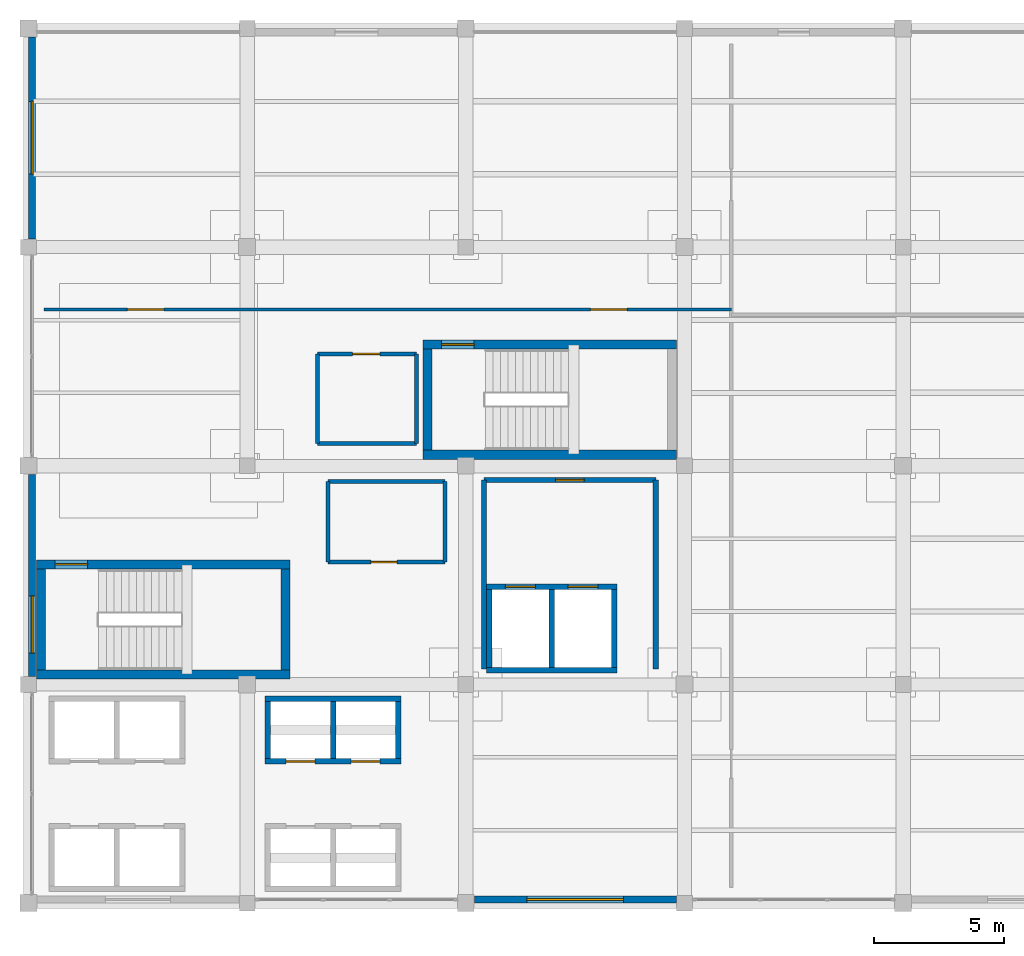
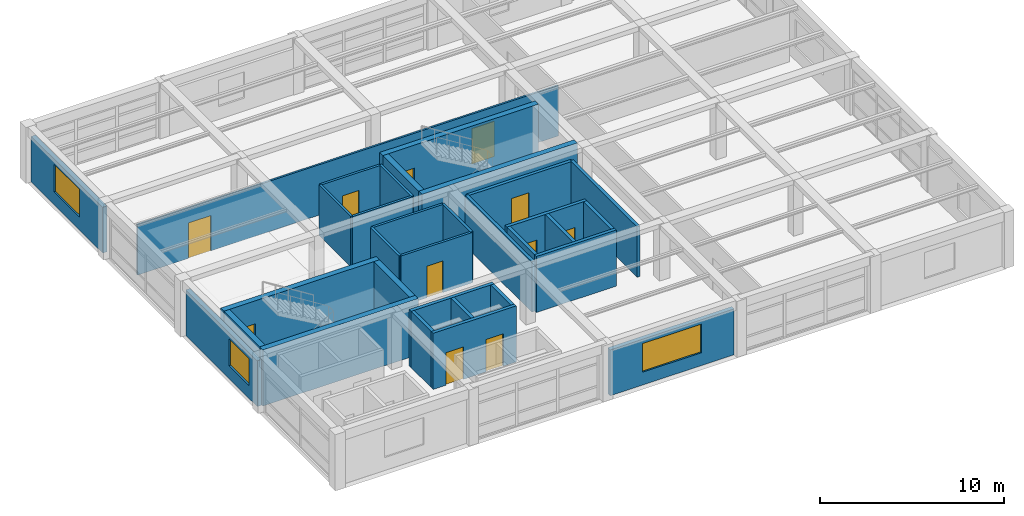
# One storey, part 24 of 26: 32 walls, 11 doors, 3 windows, 14 openings.
"""IFC4 building model written with IfcOpenShell, lengths in metres."""

from ifc_helpers import new_model, si_unit, direction, frame, frame_2d, origin, place, context, subcontext, project, spatial, rectangle, extrude, material, layer, layer_set, type_object, element, fill, save


model = new_model("IFC4")

# Units and contexts
model_context = context("Model", 3, precision=1e-05, world=origin(), true_north=direction((0.0, 1.0)))
body_context = subcontext(model_context, "Body", "Model", "MODEL_VIEW")
ifc_project = project(units=[si_unit("LENGTHUNIT", "METRE"), si_unit("AREAUNIT", "SQUARE_METRE"), si_unit("VOLUMEUNIT", "CUBIC_METRE"), si_unit("PLANEANGLEUNIT", "RADIAN"), si_unit("MASSUNIT", "GRAM", prefix="KILO")], contexts=[model_context])

# Site, building, storey
site_placement = place(None, origin())
site = spatial("IfcSite", under=ifc_project, at=site_placement, CompositionType="ELEMENT")
building_placement = place(site_placement, origin())
building = spatial("IfcBuilding", under=site, at=building_placement, Name="Almacenes y Pasaje Nevantli", CompositionType="ELEMENT")
storey_placement = place(building_placement, frame((0.0, 0.0, 46.699951171875)))
storey = spatial("IfcBuildingStorey", under=building, at=storey_placement, Name="L11", CompositionType="ELEMENT", Elevation=46.699951171875)

# Wall, opening, door
ifc_material_1 = material(Name="Fire-Rated Concrete Blockwork", Category="masonry")
ifc_layer_1 = layer(ifc_material_1, 0.199951171875)
ifc_layer_set_1 = layer_set([ifc_layer_1], Name="Fire-Rated Concrete Blockwork")
wall_type_1 = type_object("IfcWallType", Name="WL-COMP-200", PredefinedType="PARTITIONING", material=ifc_layer_set_1)
wall_1_placement = place(storey_placement, frame((135.10009765625, 83.449951171875, 0.0), z_axis=(0.0, 0.0, 1.0), x_axis=(1.0, 0.0, 0.0)))
wall_1 = element("IfcWall", 1, at=wall_1_placement, inside=storey, type_object=wall_type_1, Name="L11 Interior Partition Wall IW-200 #188", PredefinedType="PARTITIONING", context=body_context, shape_type="SweptSolid", body=[
    extrude(rectangle(XDim=6.599853515625, YDim=0.199951171875, at=frame_2d((3.2998046875, 0.0))), origin(), (0.0, 0.0, 1.0), 3.340087890625),
])
opening_1_placement = place(wall_1_placement, frame((2.75, 0.0, 0.0)))
opening_1 = element("IfcOpeningElement", 2, at=opening_1_placement, cuts=wall_1, Name="Opening ID-L11-104", PredefinedType="OPENING", context=body_context, shape_type="SweptSolid", body=[
    extrude(rectangle(XDim=1.10009765625, YDim=2.199951171875, at=frame_2d((0.550048828125, 1.10009765625))), frame((0.0, 0.10986328125, 0.0), z_axis=(0.0, -1.0, 0.0), x_axis=(1.0, 0.0, 0.0)), (0.0, 0.0, 1.0), 0.219970703125),
])
ifc_material_2 = material(Name="Galvanized Fire-Rated Steel", Category="steel")
door_type_1 = type_object("IfcDoorType", Name="DR-FD90-1100R", OperationType="SINGLE_SWING_RIGHT", PredefinedType="DOOR", material=ifc_material_2)
door_1_placement = place(opening_1_placement, origin())
door_1 = element("IfcDoor", 3, at=door_1_placement, inside=storey, type_object=door_type_1, Name="L11 Firefighting Lobby Door", OperationType="SINGLE_SWING_RIGHT", OverallHeight=2.199951171875, OverallWidth=1.10009765625, PredefinedType="DOOR", context=body_context, shape_type="SweptSolid", body=[
    extrude(rectangle(XDim=1.10009765625, YDim=2.199951171875, at=frame_2d((0.550048828125, 1.10009765625))), frame((0.0, 0.02490234375, 0.0), z_axis=(0.0, -1.0, 0.0), x_axis=(1.0, 0.0, 0.0)), (0.0, 0.0, 1.0), 0.050048828125),
])
fill(opening_1, door_1)

# Walls
for number, where, z_axis, x_axis, name in (
    (4, (135.10009765625, 76.199951171875, 0.0), (0.0, 0.0, 1.0), (0.0, 1.0, 0.0), "L11 Interior Partition Wall IW-200 #189"),
    (5, (141.699951171875, 76.199951171875, 0.0), (0.0, 0.0, 1.0), (0.0, 1.0, 0.0), "L11 Interior Partition Wall IW-200 #190"),
):
    element("IfcWall", number, at=place(storey_placement, frame(where, z_axis=z_axis, x_axis=x_axis)), inside=storey, type_object=wall_type_1, Name=name, PredefinedType="PARTITIONING", context=body_context, shape_type="SweptSolid", body=[
        extrude(rectangle(XDim=7.25, YDim=0.199951171875, at=frame_2d((3.625, 0.0))), origin(), (0.0, 0.0, 1.0), 3.340087890625),
    ])
ifc_material_3 = material(Name="Concrete C45/55", Category="concrete")
ifc_layer_2 = layer(ifc_material_3, 0.35009765625)
ifc_layer_set_2 = layer_set([ifc_layer_2], Name="Concrete C45/55")
wall_type_2 = type_object("IfcWallType", Name="WL-CORE-350", PredefinedType="SHEAR", material=ifc_layer_set_2)
wall_2_placement = place(storey_placement, frame((117.89990234375, 75.97509765625, 0.0), z_axis=(0.0, 0.0, 1.0), x_axis=(1.0, 0.0, 0.0)))
element("IfcWall", 6, at=wall_2_placement, inside=storey, type_object=wall_type_2, Name="L11 Exit Stair ST-01 South Core Shear Wall", PredefinedType="SHEAR", context=body_context, shape_type="SweptSolid", body=[
    extrude(rectangle(XDim=9.75, YDim=0.35009765625, at=frame_2d((4.875, 0.0))), origin(), (0.0, 0.0, 1.0), 3.719970703125),
])

# Wall, opening, door
wall_3_placement = place(storey_placement, frame((117.89990234375, 80.215087890625, 0.0), z_axis=(0.0, 0.0, 1.0), x_axis=(1.0, 0.0, 0.0)))
wall_3 = element("IfcWall", 7, at=wall_3_placement, inside=storey, type_object=wall_type_2, Name="L11 Exit Stair ST-01 North Core Shear Wall", PredefinedType="SHEAR", context=body_context, shape_type="SweptSolid", body=[
    extrude(rectangle(XDim=9.75, YDim=0.35009765625, at=frame_2d((4.875, 0.0))), origin(), (0.0, 0.0, 1.0), 3.719970703125),
])
opening_2_placement = place(wall_3_placement, frame((0.719970703125, 0.0, 0.0)))
opening_2 = element("IfcOpeningElement", 8, at=opening_2_placement, cuts=wall_3, Name="Opening SD-01-L11", PredefinedType="OPENING", context=body_context, shape_type="SweptSolid", body=[
    extrude(rectangle(XDim=1.25, YDim=2.199951171875, at=frame_2d((0.625, 1.10009765625))), frame((0.0, 0.18505859375, 0.0), z_axis=(0.0, -1.0, 0.0), x_axis=(1.0, 0.0, 0.0)), (0.0, 0.0, 1.0), 0.3701171875),
])
ifc_material_4 = material(Name="Galvanized Fire-Rated Steel", Category="steel")
door_type_2 = type_object("IfcDoorType", Name="DR-STAIR-1250", OperationType="SINGLE_SWING_LEFT", PredefinedType="DOOR", material=ifc_material_4)
door_2_placement = place(opening_2_placement, origin())
door_2 = element("IfcDoor", 9, at=door_2_placement, inside=storey, type_object=door_type_2, Name="L11 Smokeproof Exit Stair ST-01 Fire Door", OperationType="SINGLE_SWING_LEFT", OverallHeight=2.199951171875, OverallWidth=1.25, PredefinedType="DOOR", context=body_context, shape_type="SweptSolid", body=[
    extrude(rectangle(XDim=1.25, YDim=2.199951171875, at=frame_2d((0.625, 1.10009765625))), frame((0.0, 0.02490234375, 0.0), z_axis=(0.0, -1.0, 0.0), x_axis=(1.0, 0.0, 0.0)), (0.0, 0.0, 1.0), 0.050048828125),
])
fill(opening_2, door_2)

# Walls
for number, where, z_axis, x_axis, name in (
    (10, (118.074951171875, 76.14990234375, 0.0), (0.0, 0.0, 1.0), (0.0, 1.0, 0.0), "L11 Exit Stair ST-01 West Core Shear Wall"),
    (11, (127.47509765625, 76.14990234375, 0.0), (0.0, 0.0, 1.0), (0.0, 1.0, 0.0), "L11 Exit Stair ST-01 East Core Shear Wall"),
):
    element("IfcWall", number, at=place(storey_placement, frame(where, z_axis=z_axis, x_axis=x_axis)), inside=storey, type_object=wall_type_2, Name=name, PredefinedType="SHEAR", context=body_context, shape_type="SweptSolid", body=[
        extrude(rectangle(XDim=3.89013671875, YDim=0.35009765625, at=frame_2d((1.945068359375, 0.0))), origin(), (0.0, 0.0, 1.0), 3.719970703125),
    ])
wall_4_placement = place(storey_placement, frame((132.75, 84.425048828125, 0.0), z_axis=(0.0, 0.0, 1.0), x_axis=(1.0, 0.0, 0.0)))
element("IfcWall", 12, at=wall_4_placement, inside=storey, type_object=wall_type_2, Name="L11 Exit Stair ST-02 South Core Shear Wall", PredefinedType="SHEAR", context=body_context, shape_type="SweptSolid", body=[
    extrude(rectangle(XDim=9.75, YDim=0.35009765625, at=frame_2d((4.875, 0.0))), origin(), (0.0, 0.0, 1.0), 3.719970703125),
])

# Wall, opening, door
wall_5_placement = place(storey_placement, frame((132.75, 88.6650390625, 0.0), z_axis=(0.0, 0.0, 1.0), x_axis=(1.0, 0.0, 0.0)))
wall_5 = element("IfcWall", 13, at=wall_5_placement, inside=storey, type_object=wall_type_2, Name="L11 Exit Stair ST-02 North Core Shear Wall", PredefinedType="SHEAR", context=body_context, shape_type="SweptSolid", body=[
    extrude(rectangle(XDim=9.75, YDim=0.35009765625, at=frame_2d((4.875, 0.0))), origin(), (0.0, 0.0, 1.0), 3.719970703125),
])
opening_3_placement = place(wall_5_placement, frame((0.719970703125, 0.0, 0.0)))
opening_3 = element("IfcOpeningElement", 14, at=opening_3_placement, cuts=wall_5, Name="Opening SD-02-L11", PredefinedType="OPENING", context=body_context, shape_type="SweptSolid", body=[
    extrude(rectangle(XDim=1.25, YDim=2.199951171875, at=frame_2d((0.625, 1.10009765625))), frame((0.0, 0.18505859375, 0.0), z_axis=(0.0, -1.0, 0.0), x_axis=(1.0, 0.0, 0.0)), (0.0, 0.0, 1.0), 0.3701171875),
])
ifc_material_5 = material(Name="Galvanized Fire-Rated Steel", Category="steel")
door_type_3 = type_object("IfcDoorType", Name="DR-STAIR-1250R", OperationType="SINGLE_SWING_RIGHT", PredefinedType="DOOR", material=ifc_material_5)
door_3_placement = place(opening_3_placement, origin())
door_3 = element("IfcDoor", 15, at=door_3_placement, inside=storey, type_object=door_type_3, Name="L11 Smokeproof Exit Stair ST-02 Fire Door", OperationType="SINGLE_SWING_RIGHT", OverallHeight=2.199951171875, OverallWidth=1.25, PredefinedType="DOOR", context=body_context, shape_type="SweptSolid", body=[
    extrude(rectangle(XDim=1.25, YDim=2.199951171875, at=frame_2d((0.625, 1.10009765625))), frame((0.0, 0.02490234375, 0.0), z_axis=(0.0, -1.0, 0.0), x_axis=(1.0, 0.0, 0.0)), (0.0, 0.0, 1.0), 0.050048828125),
])
fill(opening_3, door_3)

# Wall
wall_6_placement = place(storey_placement, frame((132.925048828125, 84.60009765625, 0.0), z_axis=(0.0, 0.0, 1.0), x_axis=(0.0, 1.0, 0.0)))
element("IfcWall", 16, at=wall_6_placement, inside=storey, type_object=wall_type_2, Name="L11 Exit Stair ST-02 West Core Shear Wall", PredefinedType="SHEAR", context=body_context, shape_type="SweptSolid", body=[
    extrude(rectangle(XDim=3.889892578125, YDim=0.35009765625, at=frame_2d((1.94482421875, 0.0))), origin(), (0.0, 0.0, 1.0), 3.719970703125),
])

# Wall, opening, window
ifc_material_6 = material(Name="Architectural Precast Concrete C35/45 Spandrel Wall", Category="concrete")
ifc_layer_3 = layer(ifc_material_6, 0.280029296875)
ifc_layer_set_3 = layer_set([ifc_layer_3], Name="Architectural Precast Concrete C35/45 Spandrel Wall")
wall_type_3 = type_object("IfcWallType", Name="WL-EXT-CANTERA-280", PredefinedType="SOLIDWALL", material=ifc_layer_set_3)
wall_7_placement = place(storey_placement, frame((117.739990234375, 75.902099609375, 0.0), z_axis=(0.0, 0.0, 1.0), x_axis=(0.0, 1.0, 0.0)))
wall_7 = element("IfcWall", 17, at=wall_7_placement, inside=storey, type_object=wall_type_3, Name="L11 Tower West Cantera Wall Bay 10", PredefinedType="SOLIDWALL", context=body_context, shape_type="SweptSolid", body=[
    extrude(rectangle(XDim=7.77001953125, YDim=0.280029296875, at=frame_2d((3.885009765625, 0.0))), origin(), (0.0, 0.0, 1.0), 3.0400390625),
])
opening_4_placement = place(wall_7_placement, frame((0.89794921875, 0.0, 0.85009765625)))
opening_4 = element("IfcOpeningElement", 18, at=opening_4_placement, cuts=wall_7, Name="Opening WT-31-247", PredefinedType="OPENING", context=body_context, shape_type="SweptSolid", body=[
    extrude(rectangle(XDim=2.199951171875, YDim=1.800048828125, at=frame_2d((1.10009765625, 0.89990234375))), frame((0.0, 0.14990234375, 0.0), z_axis=(0.0, -1.0, 0.0), x_axis=(1.0, 0.0, 0.0)), (0.0, 0.0, 1.0), 0.300048828125),
])
ifc_material_7 = material(Name="Thermally Broken Aluminium and Low-E Double Glazing", Category="aluminium")
window_type_1 = type_object("IfcWindowType", Name="WN-TWR-2200x1800", PartitioningType="SINGLE_PANEL", PredefinedType="WINDOW", material=ifc_material_7)
window_1_placement = place(opening_4_placement, origin())
window_1 = element("IfcWindow", 19, at=window_1_placement, inside=storey, type_object=window_type_1, Name="L11 Exterior Window WT-31 #247", OverallHeight=1.800048828125, OverallWidth=2.199951171875, PartitioningType="SINGLE_PANEL", PredefinedType="WINDOW", context=body_context, shape_type="SweptSolid", body=[
    extrude(rectangle(XDim=2.199951171875, YDim=1.800048828125, at=frame_2d((1.10009765625, 0.89990234375))), frame((0.0, 0.030029296875, 0.0), z_axis=(0.0, -1.0, 0.0), x_axis=(1.0, 0.0, 0.0)), (0.0, 0.0, 1.0), 0.06005859375),
])
fill(opening_4, window_1)

wall_8_placement = place(storey_placement, frame((117.739990234375, 92.7041015625, 0.0), z_axis=(0.0, 0.0, 1.0), x_axis=(0.0, 1.0, 0.0)))
wall_8 = element("IfcWall", 20, at=wall_8_placement, inside=storey, type_object=wall_type_3, Name="L11 Tower West Cantera Wall Bay 12", PredefinedType="SOLIDWALL", context=body_context, shape_type="SweptSolid", body=[
    extrude(rectangle(XDim=7.767822265625, YDim=0.280029296875, at=frame_2d((3.8837890625, 0.0))), origin(), (0.0, 0.0, 1.0), 3.0400390625),
])
opening_5_placement = place(wall_8_placement, frame((2.49609375, 0.0, 0.85009765625)))
opening_5 = element("IfcOpeningElement", 21, at=opening_5_placement, cuts=wall_8, Name="Opening WT-29-249", PredefinedType="OPENING", context=body_context, shape_type="SweptSolid", body=[
    extrude(rectangle(XDim=2.800048828125, YDim=1.85009765625, at=frame_2d((1.39990234375, 0.925048828125))), frame((0.0, 0.14990234375, 0.0), z_axis=(0.0, -1.0, 0.0), x_axis=(1.0, 0.0, 0.0)), (0.0, 0.0, 1.0), 0.300048828125),
])
ifc_material_8 = material(Name="Thermally Broken Aluminium and Low-E Double Glazing", Category="aluminium")
window_type_2 = type_object("IfcWindowType", Name="WN-TWR-2800x1850", PartitioningType="SINGLE_PANEL", PredefinedType="WINDOW", material=ifc_material_8)
window_2_placement = place(opening_5_placement, origin())
window_2 = element("IfcWindow", 22, at=window_2_placement, inside=storey, type_object=window_type_2, Name="L11 Exterior Window WT-29 #249", OverallHeight=1.85009765625, OverallWidth=2.800048828125, PartitioningType="SINGLE_PANEL", PredefinedType="WINDOW", context=body_context, shape_type="SweptSolid", body=[
    extrude(rectangle(XDim=2.800048828125, YDim=1.85009765625, at=frame_2d((1.39990234375, 0.925048828125))), frame((0.0, 0.030029296875, 0.0), z_axis=(0.0, -1.0, 0.0), x_axis=(1.0, 0.0, 0.0)), (0.0, 0.0, 1.0), 0.06005859375),
])
fill(opening_5, window_2)

ifc_material_9 = material(Name="Cream Architectural Precast Concrete C35/45 Wall", Category="concrete")
ifc_layer_4 = layer(ifc_material_9, 0.260009765625)
ifc_layer_set_4 = layer_set([ifc_layer_4], Name="Cream Architectural Precast Concrete C35/45 Wall")
wall_type_4 = type_object("IfcWallType", Name="WL-EXT-PRECAST-260", PredefinedType="SOLIDWALL", material=ifc_layer_set_4)
wall_9_placement = place(storey_placement, frame((134.72802734375, 67.340087890625, 0.0), z_axis=(0.0, 0.0, 1.0), x_axis=(1.0, 0.0, 0.0)))
wall_9 = element("IfcWall", 23, at=wall_9_placement, inside=storey, type_object=wall_type_4, Name="L11 Tower South Precast Spandrel Wall Bay 17", PredefinedType="SOLIDWALL", context=body_context, shape_type="SweptSolid", body=[
    extrude(rectangle(XDim=7.77001953125, YDim=0.260009765625, at=frame_2d((3.885009765625, 0.0))), origin(), (0.0, 0.0, 1.0), 3.0400390625),
])
opening_6_placement = place(wall_9_placement, frame((2.02197265625, 0.0, 0.85009765625)))
opening_6 = element("IfcOpeningElement", 24, at=opening_6_placement, cuts=wall_9, Name="Opening WT-26-243", PredefinedType="OPENING", context=body_context, shape_type="SweptSolid", body=[
    extrude(rectangle(XDim=3.699951171875, YDim=1.89990234375, at=frame_2d((1.85009765625, 0.949951171875))), frame((0.0, 0.139892578125, 0.0), z_axis=(0.0, -1.0, 0.0), x_axis=(1.0, 0.0, 0.0)), (0.0, 0.0, 1.0), 0.280029296875),
])
ifc_material_10 = material(Name="Thermally Broken Aluminium and Low-E Double Glazing", Category="aluminium")
window_type_3 = type_object("IfcWindowType", Name="WN-TWR-3700x1900", PartitioningType="SINGLE_PANEL", PredefinedType="WINDOW", material=ifc_material_10)
window_3_placement = place(opening_6_placement, origin())
window_3 = element("IfcWindow", 25, at=window_3_placement, inside=storey, type_object=window_type_3, Name="L11 Exterior Window WT-26 #243", OverallHeight=1.89990234375, OverallWidth=3.699951171875, PartitioningType="SINGLE_PANEL", PredefinedType="WINDOW", context=body_context, shape_type="SweptSolid", body=[
    extrude(rectangle(XDim=3.699951171875, YDim=1.89990234375, at=frame_2d((1.85009765625, 0.949951171875))), frame((0.0, 0.030029296875, 0.0), z_axis=(0.0, -1.0, 0.0), x_axis=(1.0, 0.0, 0.0)), (0.0, 0.0, 1.0), 0.06005859375),
])
fill(opening_6, window_3)

# Wall, openings, doors
ifc_material_11 = material(Name="Standard Steel-Stud Gypsum Partition", Category="steel")
ifc_layer_5 = layer(ifc_material_11, 0.1201171875)
ifc_layer_set_5 = layer_set([ifc_layer_5], Name="Standard Steel-Stud Gypsum Partition")
wall_type_5 = type_object("IfcWallType", Name="WL-PART-120", PredefinedType="PARTITIONING", material=ifc_layer_set_5)
wall_10_placement = place(storey_placement, frame((118.199951171875, 90.0, 0.0), z_axis=(0.0, 0.0, 1.0), x_axis=(1.0, 0.0, 0.0)))
wall_10 = element("IfcWall", 26, at=wall_10_placement, inside=storey, type_object=wall_type_5, Name="L11 Interior Partition Wall IW-120 #199", PredefinedType="PARTITIONING", context=body_context, shape_type="SweptSolid", body=[
    extrude(rectangle(XDim=26.400146484375, YDim=0.1201171875, at=frame_2d((13.2001953125, 0.0))), origin(), (0.0, 0.0, 1.0), 3.340087890625),
])
opening_7_placement = place(wall_10_placement, frame((3.199951171875, 0.0, 0.0)))
opening_7 = element("IfcOpeningElement", 27, at=opening_7_placement, cuts=wall_10, Name="Opening ID-L11-107", PredefinedType="OPENING", context=body_context, shape_type="SweptSolid", body=[
    extrude(rectangle(XDim=1.39990234375, YDim=2.35009765625, at=frame_2d((0.699951171875, 1.175048828125))), frame((0.0, 0.070068359375, 0.0), z_axis=(0.0, -1.0, 0.0), x_axis=(1.0, 0.0, 0.0)), (0.0, 0.0, 1.0), 0.14013671875),
])
opening_8_placement = place(wall_10_placement, frame((21.0, 0.0, 0.0)))
opening_8 = element("IfcOpeningElement", 28, at=opening_8_placement, cuts=wall_10, Name="Opening ID-L11-108", PredefinedType="OPENING", context=body_context, shape_type="SweptSolid", body=[
    extrude(rectangle(XDim=1.39990234375, YDim=2.35009765625, at=frame_2d((0.699951171875, 1.175048828125))), frame((0.0, 0.070068359375, 0.0), z_axis=(0.0, -1.0, 0.0), x_axis=(1.0, 0.0, 0.0)), (0.0, 0.0, 1.0), 0.14013671875),
])
ifc_material_12 = material(Name="Framed Tempered Safety Glass", Category="glass")
door_type_4 = type_object("IfcDoorType", Name="DR-GLZ-1400", OperationType="DOUBLE_DOOR_SINGLE_SWING", PredefinedType="DOOR", material=ifc_material_12)
door_4_placement = place(opening_7_placement, origin())
door_4 = element("IfcDoor", 29, at=door_4_placement, inside=storey, type_object=door_type_4, Name="L11 L11 North Workplace West Door", OperationType="DOUBLE_DOOR_SINGLE_SWING", OverallHeight=2.35009765625, OverallWidth=1.39990234375, PredefinedType="DOOR", context=body_context, shape_type="SweptSolid", body=[
    extrude(rectangle(XDim=1.39990234375, YDim=2.35009765625, at=frame_2d((0.699951171875, 1.175048828125))), frame((0.0, 0.02490234375, 0.0), z_axis=(0.0, -1.0, 0.0), x_axis=(1.0, 0.0, 0.0)), (0.0, 0.0, 1.0), 0.050048828125),
])
fill(opening_7, door_4)
door_5_placement = place(opening_8_placement, origin())
door_5 = element("IfcDoor", 30, at=door_5_placement, inside=storey, type_object=door_type_4, Name="L11 L11 North Workplace East Door", OperationType="DOUBLE_DOOR_SINGLE_SWING", OverallHeight=2.35009765625, OverallWidth=1.39990234375, PredefinedType="DOOR", context=body_context, shape_type="SweptSolid", body=[
    extrude(rectangle(XDim=1.39990234375, YDim=2.35009765625, at=frame_2d((0.699951171875, 1.175048828125))), frame((0.0, 0.02490234375, 0.0), z_axis=(0.0, -1.0, 0.0), x_axis=(1.0, 0.0, 0.0)), (0.0, 0.0, 1.0), 0.050048828125),
])
fill(opening_8, door_5)

# Wall, opening, door
ifc_material_13 = material(Name="Acoustic Steel-Stud Gypsum Partition", Category="steel")
ifc_layer_6 = layer(ifc_material_13, 0.14990234375)
ifc_layer_set_6 = layer_set([ifc_layer_6], Name="Acoustic Steel-Stud Gypsum Partition")
wall_type_6 = type_object("IfcWallType", Name="WL-PART-150", PredefinedType="PARTITIONING", material=ifc_layer_set_6)
wall_11_placement = place(storey_placement, frame((129.10009765625, 80.300048828125, 0.0), z_axis=(0.0, 0.0, 1.0), x_axis=(1.0, 0.0, 0.0)))
wall_11 = element("IfcWall", 31, at=wall_11_placement, inside=storey, type_object=wall_type_6, Name="L11 Interior Partition Wall IW-150 #191", PredefinedType="PARTITIONING", context=body_context, shape_type="SweptSolid", body=[
    extrude(rectangle(XDim=4.5, YDim=0.14990234375, at=frame_2d((2.25, 0.0))), origin(), (0.0, 0.0, 1.0), 3.340087890625),
])
opening_9_placement = place(wall_11_placement, frame((1.64990234375, 0.0, 0.0)))
opening_9 = element("IfcOpeningElement", 32, at=opening_9_placement, cuts=wall_11, Name="Opening ID-L11-105", PredefinedType="OPENING", context=body_context, shape_type="SweptSolid", body=[
    extrude(rectangle(XDim=1.0, YDim=2.10009765625, at=frame_2d((0.5, 1.050048828125))), frame((0.0, 0.0849609375, 0.0), z_axis=(0.0, -1.0, 0.0), x_axis=(1.0, 0.0, 0.0)), (0.0, 0.0, 1.0), 0.169921875),
])
ifc_material_14 = material(Name="Powder-Coated Hollow Metal", Category="steel")
door_type_5 = type_object("IfcDoorType", Name="DR-INT-1000", OperationType="SINGLE_SWING_LEFT", PredefinedType="DOOR", material=ifc_material_14)
door_6_placement = place(opening_9_placement, origin())
door_6 = element("IfcDoor", 33, at=door_6_placement, inside=storey, type_object=door_type_5, Name="L11 Staff and Public WC Door", OperationType="SINGLE_SWING_LEFT", OverallHeight=2.10009765625, OverallWidth=1.0, PredefinedType="DOOR", context=body_context, shape_type="SweptSolid", body=[
    extrude(rectangle(XDim=1.0, YDim=2.10009765625, at=frame_2d((0.5, 1.050048828125))), frame((0.0, 0.02490234375, 0.0), z_axis=(0.0, -1.0, 0.0), x_axis=(1.0, 0.0, 0.0)), (0.0, 0.0, 1.0), 0.050048828125),
])
fill(opening_9, door_6)

# Walls
wall_12_placement = place(storey_placement, frame((129.10009765625, 83.39990234375, 0.0), z_axis=(0.0, 0.0, 1.0), x_axis=(1.0, 0.0, 0.0)))
element("IfcWall", 34, at=wall_12_placement, inside=storey, type_object=wall_type_6, Name="L11 Interior Partition Wall IW-150 #192", PredefinedType="PARTITIONING", context=body_context, shape_type="SweptSolid", body=[
    extrude(rectangle(XDim=4.5, YDim=0.14990234375, at=frame_2d((2.25, 0.0))), origin(), (0.0, 0.0, 1.0), 3.340087890625),
])
for number, where, z_axis, x_axis, name in (
    (35, (129.10009765625, 80.300048828125, 0.0), (0.0, 0.0, 1.0), (0.0, 1.0, 0.0), "L11 Interior Partition Wall IW-150 #193"),
    (36, (133.60009765625, 80.300048828125, 0.0), (0.0, 0.0, 1.0), (0.0, 1.0, 0.0), "L11 Interior Partition Wall IW-150 #194"),
):
    element("IfcWall", number, at=place(storey_placement, frame(where, z_axis=z_axis, x_axis=x_axis)), inside=storey, type_object=wall_type_6, Name=name, PredefinedType="PARTITIONING", context=body_context, shape_type="SweptSolid", body=[
        extrude(rectangle(XDim=3.099853515625, YDim=0.14990234375, at=frame_2d((1.5498046875, 0.0))), origin(), (0.0, 0.0, 1.0), 3.340087890625),
    ])

# Wall, opening, door
wall_13_placement = place(storey_placement, frame((128.699951171875, 88.300048828125, 0.0), z_axis=(0.0, 0.0, 1.0), x_axis=(1.0, 0.0, 0.0)))
wall_13 = element("IfcWall", 37, at=wall_13_placement, inside=storey, type_object=wall_type_6, Name="L11 Interior Partition Wall IW-150 #195", PredefinedType="PARTITIONING", context=body_context, shape_type="SweptSolid", body=[
    extrude(rectangle(XDim=3.800048828125, YDim=0.14990234375, at=frame_2d((1.89990234375, 0.0))), origin(), (0.0, 0.0, 1.0), 3.340087890625),
])
opening_10_placement = place(wall_13_placement, frame((1.35009765625, 0.0, 0.0)))
opening_10 = element("IfcOpeningElement", 38, at=opening_10_placement, cuts=wall_13, Name="Opening ID-L11-106", PredefinedType="OPENING", context=body_context, shape_type="SweptSolid", body=[
    extrude(rectangle(XDim=1.050048828125, YDim=2.14990234375, at=frame_2d((0.52490234375, 1.074951171875))), frame((0.0, 0.0849609375, 0.0), z_axis=(0.0, -1.0, 0.0), x_axis=(1.0, 0.0, 0.0)), (0.0, 0.0, 1.0), 0.169921875),
])
ifc_material_15 = material(Name="Powder-Coated Hollow Metal", Category="steel")
door_type_6 = type_object("IfcDoorType", Name="DR-ACC-1050", OperationType="SINGLE_SWING_RIGHT", PredefinedType="DOOR", material=ifc_material_15)
door_7_placement = place(opening_10_placement, origin())
door_7 = element("IfcDoor", 39, at=door_7_placement, inside=storey, type_object=door_type_6, Name="L11 Accessible WC Door", OperationType="SINGLE_SWING_RIGHT", OverallHeight=2.14990234375, OverallWidth=1.050048828125, PredefinedType="DOOR", context=body_context, shape_type="SweptSolid", body=[
    extrude(rectangle(XDim=1.050048828125, YDim=2.14990234375, at=frame_2d((0.52490234375, 1.074951171875))), frame((0.0, 0.02490234375, 0.0), z_axis=(0.0, -1.0, 0.0), x_axis=(1.0, 0.0, 0.0)), (0.0, 0.0, 1.0), 0.050048828125),
])
fill(opening_10, door_7)

# Walls
wall_14_placement = place(storey_placement, frame((128.699951171875, 84.85009765625, 0.0), z_axis=(0.0, 0.0, 1.0), x_axis=(1.0, 0.0, 0.0)))
element("IfcWall", 40, at=wall_14_placement, inside=storey, type_object=wall_type_6, Name="L11 Interior Partition Wall IW-150 #196", PredefinedType="PARTITIONING", context=body_context, shape_type="SweptSolid", body=[
    extrude(rectangle(XDim=3.800048828125, YDim=0.14990234375, at=frame_2d((1.89990234375, 0.0))), origin(), (0.0, 0.0, 1.0), 3.340087890625),
])
for number, where, z_axis, x_axis, name in (
    (41, (128.699951171875, 84.85009765625, 0.0), (0.0, 0.0, 1.0), (0.0, 1.0, 0.0), "L11 Interior Partition Wall IW-150 #197"),
    (42, (132.5, 84.85009765625, 0.0), (0.0, 0.0, 1.0), (0.0, 1.0, 0.0), "L11 Interior Partition Wall IW-150 #198"),
):
    element("IfcWall", number, at=place(storey_placement, frame(where, z_axis=z_axis, x_axis=x_axis)), inside=storey, type_object=wall_type_6, Name=name, PredefinedType="PARTITIONING", context=body_context, shape_type="SweptSolid", body=[
        extrude(rectangle(XDim=3.449951171875, YDim=0.14990234375, at=frame_2d((1.72509765625, 0.0))), origin(), (0.0, 0.0, 1.0), 3.340087890625),
    ])

# Wall, openings, doors
ifc_material_16 = material(Name="Concrete C45/55", Category="concrete")
ifc_layer_7 = layer(ifc_material_16, 0.2099609375)
ifc_layer_set_7 = layer_set([ifc_layer_7], Name="Concrete C45/55")
wall_type_7 = type_object("IfcWallType", Name="WL-SHAFT-210", PredefinedType="SHEAR", material=ifc_layer_set_7)
wall_15_placement = place(storey_placement, frame((126.68994140625, 72.64501953125, 0.0), z_axis=(0.0, 0.0, 1.0), x_axis=(1.0, 0.0, 0.0)))
wall_15 = element("IfcWall", 43, at=wall_15_placement, inside=storey, type_object=wall_type_7, Name="L11 Lift Hoistway ELV-P03-ELV-P04 South Wall", PredefinedType="SHEAR", context=body_context, shape_type="SweptSolid", body=[
    extrude(rectangle(XDim=5.219970703125, YDim=0.2099609375, at=frame_2d((2.60986328125, 0.0))), origin(), (0.0, 0.0, 1.0), 3.719970703125),
])
opening_11_placement = place(wall_15_placement, frame((0.81005859375, 0.0, 0.0)))
opening_11 = element("IfcOpeningElement", 44, at=opening_11_placement, cuts=wall_15, Name="Opening LD-P03-L11", PredefinedType="OPENING", context=body_context, shape_type="SweptSolid", body=[
    extrude(rectangle(XDim=1.10009765625, YDim=2.14990234375, at=frame_2d((0.550048828125, 1.074951171875))), frame((0.0, 0.114990234375, 0.0), z_axis=(0.0, -1.0, 0.0), x_axis=(1.0, 0.0, 0.0)), (0.0, 0.0, 1.0), 0.22998046875),
])
opening_12_placement = place(wall_15_placement, frame((3.31005859375, 0.0, 0.0)))
opening_12 = element("IfcOpeningElement", 45, at=opening_12_placement, cuts=wall_15, Name="Opening LD-P04-L11", PredefinedType="OPENING", context=body_context, shape_type="SweptSolid", body=[
    extrude(rectangle(XDim=1.10009765625, YDim=2.14990234375, at=frame_2d((0.550048828125, 1.074951171875))), frame((0.0, 0.114990234375, 0.0), z_axis=(0.0, -1.0, 0.0), x_axis=(1.0, 0.0, 0.0)), (0.0, 0.0, 1.0), 0.22998046875),
])
ifc_material_17 = material(Name="Brushed Stainless Steel", Category="steel")
door_type_7 = type_object("IfcDoorType", Name="DR-LD-PASS-1100", OperationType="DOUBLE_DOOR_SLIDING", PredefinedType="DOOR", material=ifc_material_17)
door_8_placement = place(opening_11_placement, origin())
door_8 = element("IfcDoor", 46, at=door_8_placement, inside=storey, type_object=door_type_7, Name="Lift Landing Door ELV-P03 L11", OperationType="DOUBLE_DOOR_SLIDING", OverallHeight=2.14990234375, OverallWidth=1.10009765625, PredefinedType="DOOR", context=body_context, shape_type="SweptSolid", body=[
    extrude(rectangle(XDim=1.10009765625, YDim=2.14990234375, at=frame_2d((0.550048828125, 1.074951171875))), frame((0.0, 0.02490234375, 0.0), z_axis=(0.0, -1.0, 0.0), x_axis=(1.0, 0.0, 0.0)), (0.0, 0.0, 1.0), 0.050048828125),
])
fill(opening_11, door_8)
door_9_placement = place(opening_12_placement, origin())
door_9 = element("IfcDoor", 47, at=door_9_placement, inside=storey, type_object=door_type_7, Name="Lift Landing Door ELV-P04 L11", OperationType="DOUBLE_DOOR_SLIDING", OverallHeight=2.14990234375, OverallWidth=1.10009765625, PredefinedType="DOOR", context=body_context, shape_type="SweptSolid", body=[
    extrude(rectangle(XDim=1.10009765625, YDim=2.14990234375, at=frame_2d((0.550048828125, 1.074951171875))), frame((0.0, 0.02490234375, 0.0), z_axis=(0.0, -1.0, 0.0), x_axis=(1.0, 0.0, 0.0)), (0.0, 0.0, 1.0), 0.050048828125),
])
fill(opening_12, door_9)

# Walls
wall_16_placement = place(storey_placement, frame((126.68994140625, 75.054931640625, 0.0), z_axis=(0.0, 0.0, 1.0), x_axis=(1.0, 0.0, 0.0)))
element("IfcWall", 48, at=wall_16_placement, inside=storey, type_object=wall_type_7, Name="L11 Lift Hoistway ELV-P03-ELV-P04 North Wall", PredefinedType="SHEAR", context=body_context, shape_type="SweptSolid", body=[
    extrude(rectangle(XDim=5.219970703125, YDim=0.2099609375, at=frame_2d((2.60986328125, 0.0))), origin(), (0.0, 0.0, 1.0), 3.719970703125),
])
for number, where, z_axis, x_axis, name in (
    (49, (126.794921875, 72.75, 0.0), (0.0, 0.0, 1.0), (0.0, 1.0, 0.0), "L11 Lift Hoistway ELV-P03 West Wall"),
    (50, (131.804931640625, 72.75, 0.0), (0.0, 0.0, 1.0), (0.0, 1.0, 0.0), "L11 Lift Hoistway ELV-P04 East Wall"),
    (51, (129.300048828125, 72.75, 0.0), (0.0, 0.0, 1.0), (0.0, 1.0, 0.0), "L11 Lift Hoistway Divider Wall ELV-P03/ELV-P04"),
):
    element("IfcWall", number, at=place(storey_placement, frame(where, z_axis=z_axis, x_axis=x_axis)), inside=storey, type_object=wall_type_7, Name=name, PredefinedType="SHEAR", context=body_context, shape_type="SweptSolid", body=[
        extrude(rectangle(XDim=2.199951171875, YDim=0.2099609375, at=frame_2d((1.10009765625, 0.0))), origin(), (0.0, 0.0, 1.0), 3.719970703125),
    ])
wall_17_placement = place(storey_placement, frame((135.18994140625, 76.14501953125, 0.0), z_axis=(0.0, 0.0, 1.0), x_axis=(1.0, 0.0, 0.0)))
element("IfcWall", 52, at=wall_17_placement, inside=storey, type_object=wall_type_7, Name="L11 Lift Hoistway ELV-FF1-ELV-FF2 South Wall", PredefinedType="SHEAR", context=body_context, shape_type="SweptSolid", body=[
    extrude(rectangle(XDim=5.02001953125, YDim=0.2099609375, at=frame_2d((2.510009765625, 0.0))), origin(), (0.0, 0.0, 1.0), 3.719970703125),
])

# Wall, openings, doors
wall_18_placement = place(storey_placement, frame((135.18994140625, 79.35498046875, 0.0), z_axis=(0.0, 0.0, 1.0), x_axis=(1.0, 0.0, 0.0)))
wall_18 = element("IfcWall", 53, at=wall_18_placement, inside=storey, type_object=wall_type_7, Name="L11 Lift Hoistway ELV-FF1-ELV-FF2 North Wall", PredefinedType="SHEAR", context=body_context, shape_type="SweptSolid", body=[
    extrude(rectangle(XDim=5.02001953125, YDim=0.2099609375, at=frame_2d((2.510009765625, 0.0))), origin(), (0.0, 0.0, 1.0), 3.719970703125),
])
opening_13_placement = place(wall_18_placement, frame((0.735107421875, 0.0, 0.0)))
opening_13 = element("IfcOpeningElement", 54, at=opening_13_placement, cuts=wall_18, Name="Opening LD-FF1-L11", PredefinedType="OPENING", context=body_context, shape_type="SweptSolid", body=[
    extrude(rectangle(XDim=1.14990234375, YDim=2.199951171875, at=frame_2d((0.574951171875, 1.10009765625))), frame((0.0, 0.114990234375, 0.0), z_axis=(0.0, -1.0, 0.0), x_axis=(1.0, 0.0, 0.0)), (0.0, 0.0, 1.0), 0.22998046875),
])
opening_14_placement = place(wall_18_placement, frame((3.135009765625, 0.0, 0.0)))
opening_14 = element("IfcOpeningElement", 55, at=opening_14_placement, cuts=wall_18, Name="Opening LD-FF2-L11", PredefinedType="OPENING", context=body_context, shape_type="SweptSolid", body=[
    extrude(rectangle(XDim=1.14990234375, YDim=2.199951171875, at=frame_2d((0.574951171875, 1.10009765625))), frame((0.0, 0.114990234375, 0.0), z_axis=(0.0, -1.0, 0.0), x_axis=(1.0, 0.0, 0.0)), (0.0, 0.0, 1.0), 0.22998046875),
])
ifc_material_18 = material(Name="Fire-Rated Stainless Steel", Category="steel")
door_type_8 = type_object("IfcDoorType", Name="DR-LD-FF-1150", OperationType="DOUBLE_DOOR_SLIDING", PredefinedType="DOOR", material=ifc_material_18)
door_10_placement = place(opening_13_placement, origin())
door_10 = element("IfcDoor", 56, at=door_10_placement, inside=storey, type_object=door_type_8, Name="Lift Landing Door ELV-FF1 L11", OperationType="DOUBLE_DOOR_SLIDING", OverallHeight=2.199951171875, OverallWidth=1.14990234375, PredefinedType="DOOR", context=body_context, shape_type="SweptSolid", body=[
    extrude(rectangle(XDim=1.14990234375, YDim=2.199951171875, at=frame_2d((0.574951171875, 1.10009765625))), frame((0.0, 0.02490234375, 0.0), z_axis=(0.0, -1.0, 0.0), x_axis=(1.0, 0.0, 0.0)), (0.0, 0.0, 1.0), 0.050048828125),
])
fill(opening_13, door_10)
door_11_placement = place(opening_14_placement, origin())
door_11 = element("IfcDoor", 57, at=door_11_placement, inside=storey, type_object=door_type_8, Name="Lift Landing Door ELV-FF2 L11", OperationType="DOUBLE_DOOR_SLIDING", OverallHeight=2.199951171875, OverallWidth=1.14990234375, PredefinedType="DOOR", context=body_context, shape_type="SweptSolid", body=[
    extrude(rectangle(XDim=1.14990234375, YDim=2.199951171875, at=frame_2d((0.574951171875, 1.10009765625))), frame((0.0, 0.02490234375, 0.0), z_axis=(0.0, -1.0, 0.0), x_axis=(1.0, 0.0, 0.0)), (0.0, 0.0, 1.0), 0.050048828125),
])
fill(opening_14, door_11)

# Walls
for number, where, z_axis, x_axis, name in (
    (58, (135.294921875, 76.25, 0.0), (0.0, 0.0, 1.0), (0.0, 1.0, 0.0), "L11 Lift Hoistway ELV-FF1 West Wall"),
    (59, (140.10498046875, 76.25, 0.0), (0.0, 0.0, 1.0), (0.0, 1.0, 0.0), "L11 Lift Hoistway ELV-FF2 East Wall"),
    (60, (137.699951171875, 76.25, 0.0), (0.0, 0.0, 1.0), (0.0, 1.0, 0.0), "L11 Lift Hoistway Divider Wall ELV-FF1/ELV-FF2"),
):
    element("IfcWall", number, at=place(storey_placement, frame(where, z_axis=z_axis, x_axis=x_axis)), inside=storey, type_object=wall_type_7, Name=name, PredefinedType="SHEAR", context=body_context, shape_type="SweptSolid", body=[
        extrude(rectangle(XDim=3.0, YDim=0.2099609375, at=frame_2d((1.5, 0.0))), origin(), (0.0, 0.0, 1.0), 3.719970703125),
    ])

save(model, "model.ifc")
